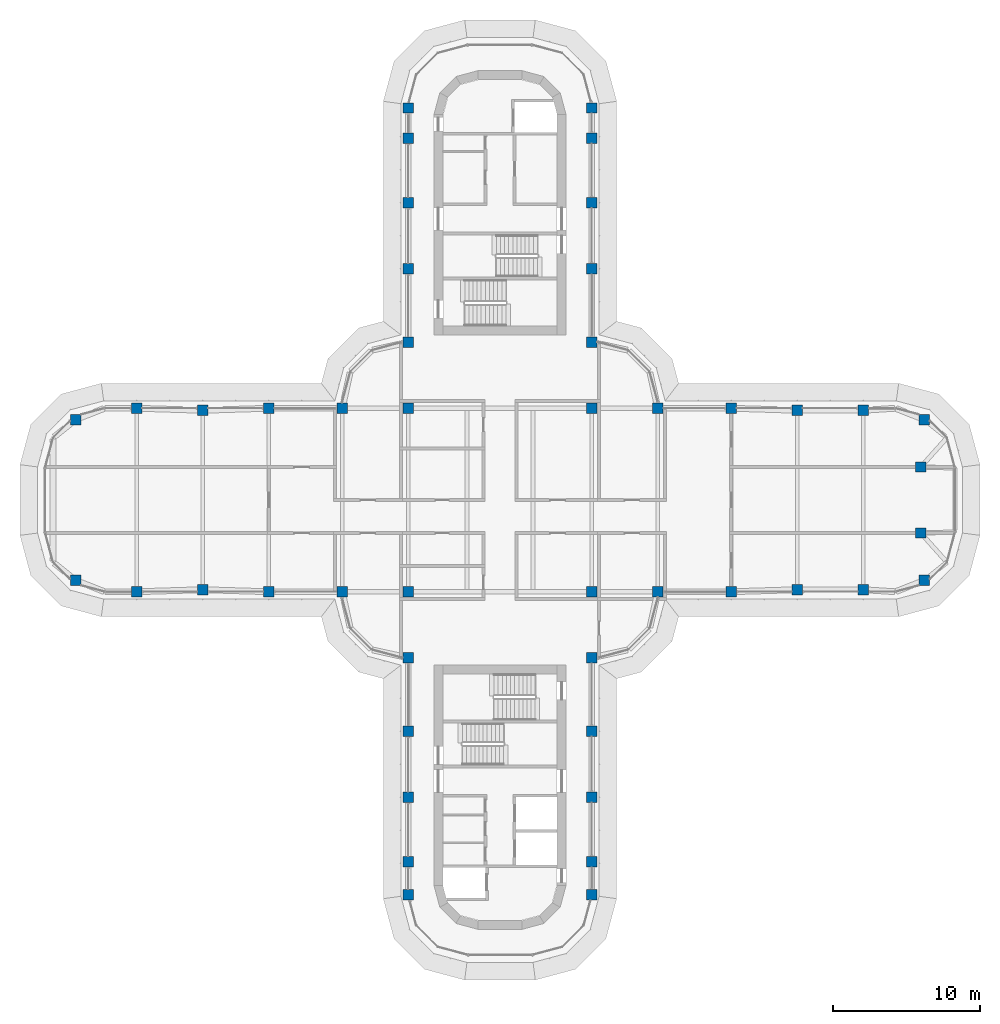
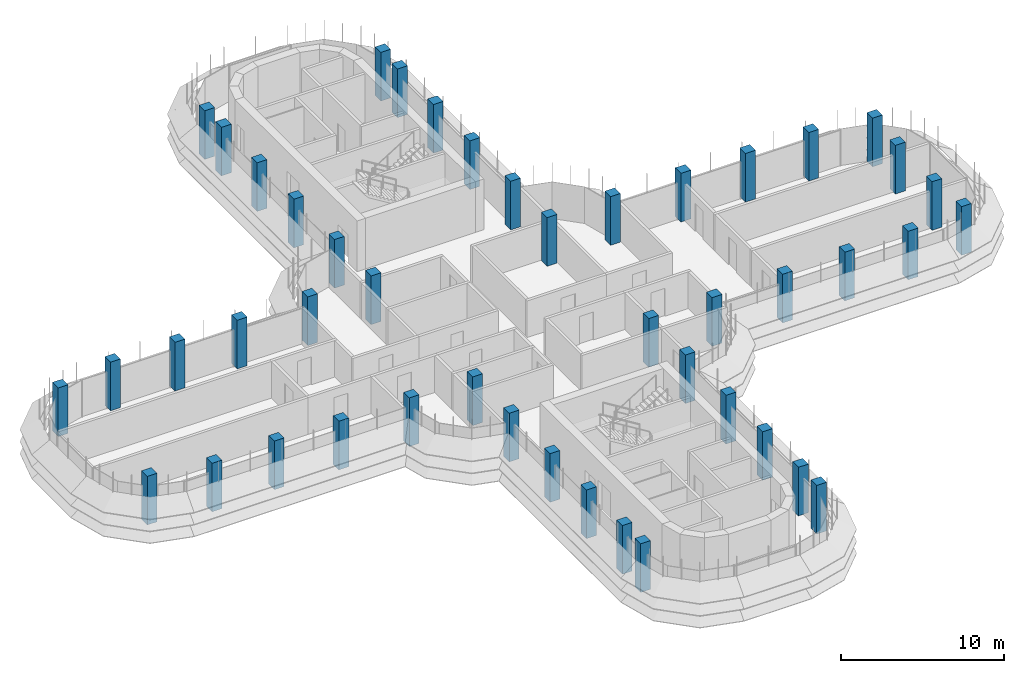
# One storey, part 1 of 19: 46 columns.
"""IFC4 building model written with IfcOpenShell, lengths in metres."""

from ifc_helpers import new_model, si_unit, direction, frame, origin, origin_2d, place, context, subcontext, project, spatial, rectangle, extrude, material, material_profile, profile_set, type_object, element, save


model = new_model("IFC4")

# Units and contexts
model_context = context("Model", 3, precision=1e-05, world=origin(), true_north=direction((0.0, 1.0)))
body_context = subcontext(model_context, "Body", "Model", "MODEL_VIEW")
ifc_project = project(units=[si_unit("LENGTHUNIT", "METRE"), si_unit("AREAUNIT", "SQUARE_METRE"), si_unit("VOLUMEUNIT", "CUBIC_METRE"), si_unit("PLANEANGLEUNIT", "RADIAN"), si_unit("MASSUNIT", "GRAM", prefix="KILO")], contexts=[model_context])

# Site, building, storey
site_placement = place(None, origin())
site = spatial("IfcSite", under=ifc_project, at=site_placement, CompositionType="ELEMENT")
building_placement = place(site_placement, origin())
building = spatial("IfcBuilding", under=site, at=building_placement, Name="Zarbagh Exchange Tower", CompositionType="ELEMENT")
storey_placement = place(building_placement, frame((0.0, 0.0, 199.199951171875)))
storey = spatial("IfcBuildingStorey", under=building, at=storey_placement, Name="L48", CompositionType="ELEMENT", Elevation=199.199951171875)

# Columns
ifc_material = material(Name="Concrete C50/60", Category="concrete")
ifc_material_profile = material_profile(ifc_material, rectangle(XDim=0.699951171875, YDim=0.699951171875, at=origin_2d()), Name="RC column 700 x 700 C50/60")
ifc_profile_set = profile_set([ifc_material_profile], Name="Concrete C50/60")
column_type = type_object("IfcColumnType", Name="RC column 700 x 700 C50/60", PredefinedType="COLUMN", material=ifc_profile_set)
for number, where, z_axis, x_axis, name in (
    (1, (-28.907958984375, -5.47509765625, 0.0), (0.0, 0.0, 1.0), (1.0, 0.0, 0.0), "C5 11/R"),
    (2, (-28.907958984375, 5.47509765625, 0.0), (0.0, 0.0, 1.0), (1.0, 0.0, 0.0), "C5 11/U"),
    (3, (-24.75, -6.25, 0.0), (0.0, 0.0, 1.0), (1.0, 0.0, 0.0), "C5 12/R"),
    (4, (-24.75, 6.25, 0.0), (0.0, 0.0, 1.0), (1.0, 0.0, 0.0), "C5 12/U"),
    (5, (-20.25, -6.110107421875, 0.0), (0.0, 0.0, 1.0), (1.0, 0.0, 0.0), "C5 13/R"),
    (6, (-20.25, 6.110107421875, 0.0), (0.0, 0.0, 1.0), (1.0, 0.0, 0.0), "C5 13/U"),
    (7, (-15.75, -6.25, 0.0), (0.0, 0.0, 1.0), (1.0, 0.0, 0.0), "C5 14/R"),
    (8, (-15.75, 6.25, 0.0), (0.0, 0.0, 1.0), (1.0, 0.0, 0.0), "C5 14/U"),
    (9, (-10.75, -6.25, 0.0), (0.0, 0.0, 1.0), (1.0, 0.0, 0.0), "C5 15/R"),
    (10, (-10.75, 6.25, 0.0), (0.0, 0.0, 1.0), (1.0, 0.0, 0.0), "C5 15/U"),
    (11, (-6.25, -26.89990234375, 0.0), (0.0, 0.0, 1.0), (1.0, 0.0, 0.0), "C5 16/L"),
    (12, (-6.25, -24.64990234375, 0.0), (0.0, 0.0, 1.0), (1.0, 0.0, 0.0), "C5 16/M"),
    (13, (-6.25, -20.25, 0.0), (0.0, 0.0, 1.0), (1.0, 0.0, 0.0), "C5 16/N"),
    (14, (-6.25, -15.75, 0.0), (0.0, 0.0, 1.0), (1.0, 0.0, 0.0), "C5 16/P"),
    (15, (-6.25, -10.75, 0.0), (0.0, 0.0, 1.0), (1.0, 0.0, 0.0), "C5 16/Q"),
    (16, (-6.25, -6.25, 0.0), (0.0, 0.0, 1.0), (1.0, 0.0, 0.0), "C5 16/R"),
    (17, (-6.25, 6.25, 0.0), (0.0, 0.0, 1.0), (1.0, 0.0, 0.0), "C5 16/U"),
    (18, (-6.25, 10.75, 0.0), (0.0, 0.0, 1.0), (1.0, 0.0, 0.0), "C5 16/V"),
    (19, (-6.25, 15.75, 0.0), (0.0, 0.0, 1.0), (1.0, 0.0, 0.0), "C5 16/W"),
    (20, (-6.25, 20.25, 0.0), (0.0, 0.0, 1.0), (1.0, 0.0, 0.0), "C5 16/X"),
    (21, (-6.25, 24.64990234375, 0.0), (0.0, 0.0, 1.0), (1.0, 0.0, 0.0), "C5 16/Y"),
    (22, (-6.25, 26.699951171875, 0.0), (0.0, 0.0, 1.0), (1.0, 0.0, 0.0), "C5 16/Z"),
    (23, (6.25, -26.89990234375, 0.0), (0.0, 0.0, 1.0), (1.0, 0.0, 0.0), "C5 19/L"),
    (24, (6.25, -24.64990234375, 0.0), (0.0, 0.0, 1.0), (1.0, 0.0, 0.0), "C5 19/M"),
    (25, (6.25, -20.25, 0.0), (0.0, 0.0, 1.0), (1.0, 0.0, 0.0), "C5 19/N"),
    (26, (6.25, -15.75, 0.0), (0.0, 0.0, 1.0), (1.0, 0.0, 0.0), "C5 19/P"),
    (27, (6.25, -10.75, 0.0), (0.0, 0.0, 1.0), (1.0, 0.0, 0.0), "C5 19/Q"),
    (28, (6.25, -6.25, 0.0), (0.0, 0.0, 1.0), (1.0, 0.0, 0.0), "C5 19/R"),
    (29, (6.25, 6.25, 0.0), (0.0, 0.0, 1.0), (1.0, 0.0, 0.0), "C5 19/U"),
    (30, (6.25, 10.75, 0.0), (0.0, 0.0, 1.0), (1.0, 0.0, 0.0), "C5 19/V"),
    (31, (6.25, 15.75, 0.0), (0.0, 0.0, 1.0), (1.0, 0.0, 0.0), "C5 19/W"),
    (32, (6.25, 20.25, 0.0), (0.0, 0.0, 1.0), (1.0, 0.0, 0.0), "C5 19/X"),
    (33, (6.25, 24.64990234375, 0.0), (0.0, 0.0, 1.0), (1.0, 0.0, 0.0), "C5 19/Y"),
    (34, (6.25, 26.699951171875, 0.0), (0.0, 0.0, 1.0), (1.0, 0.0, 0.0), "C5 19/Z"),
    (35, (10.75, -6.25, 0.0), (0.0, 0.0, 1.0), (1.0, 0.0, 0.0), "C5 20/R"),
    (36, (10.75, 6.25, 0.0), (0.0, 0.0, 1.0), (1.0, 0.0, 0.0), "C5 20/U"),
    (37, (15.75, -6.25, 0.0), (0.0, 0.0, 1.0), (1.0, 0.0, 0.0), "C5 21/R"),
    (38, (15.75, 6.25, 0.0), (0.0, 0.0, 1.0), (1.0, 0.0, 0.0), "C5 21/U"),
    (39, (20.25, -6.110107421875, 0.0), (0.0, 0.0, 1.0), (1.0, 0.0, 0.0), "C5 22/R"),
    (40, (20.25, 6.110107421875, 0.0), (0.0, 0.0, 1.0), (1.0, 0.0, 0.0), "C5 22/U"),
    (41, (24.75, -6.110107421875, 0.0), (0.0, 0.0, 1.0), (1.0, 0.0, 0.0), "C5 23/R"),
    (42, (24.75, 6.110107421875, 0.0), (0.0, 0.0, 1.0), (1.0, 0.0, 0.0), "C5 23/U"),
    (43, (28.907958984375, -5.47509765625, 0.0), (0.0, 0.0, 1.0), (1.0, 0.0, 0.0), "C5 24/R"),
    (44, (28.669921875, -2.25, 0.0), (0.0, 0.0, 1.0), (1.0, 0.0, 0.0), "C5 24/S"),
    (45, (28.669921875, 2.25, 0.0), (0.0, 0.0, 1.0), (1.0, 0.0, 0.0), "C5 24/T"),
    (46, (28.907958984375, 5.47509765625, 0.0), (0.0, 0.0, 1.0), (1.0, 0.0, 0.0), "C5 24/U"),
):
    element("IfcColumn", number, at=place(storey_placement, frame(where, z_axis=z_axis, x_axis=x_axis)), inside=storey, type_object=column_type, Name=name, PredefinedType="COLUMN", context=body_context, shape_type="SweptSolid", body=[
        extrude(rectangle(XDim=0.699951171875, YDim=0.699951171875, at=origin_2d()), origin(), (0.0, 0.0, 1.0), 3.650146484375),
    ])

save(model, "model.ifc")
